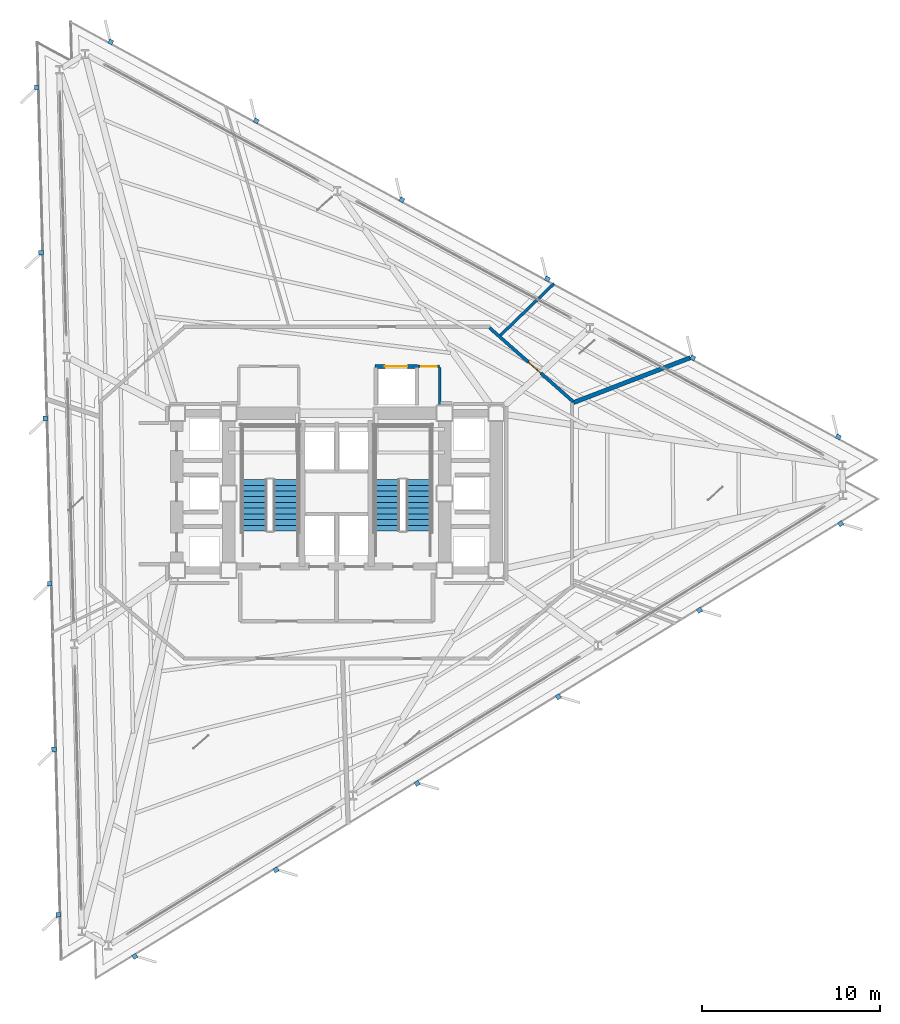
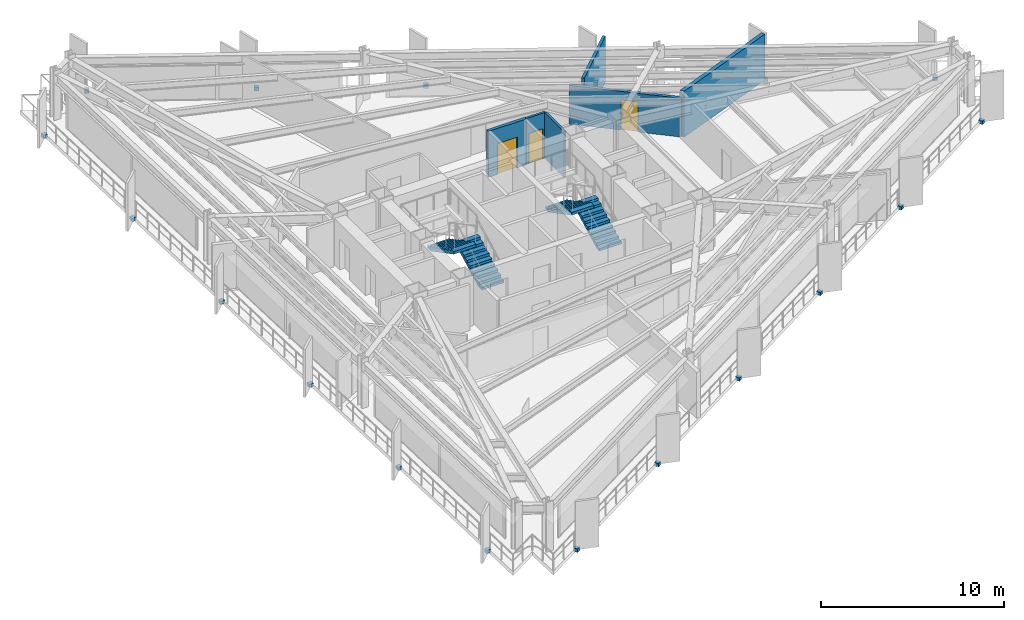
# One storey, part 9 of 14: 18 discrete accessories, 6 walls, 4 stair flights, 3 doors, 3 openings, 2 elements without a shape of their own.
"""IFC4 building model written with IfcOpenShell, lengths in metres."""

from ifc_helpers import new_model, si_unit, direction, frame, frame_2d, origin, origin_2d, place, context, subcontext, project, spatial, polyline, rectangle, outline, extrude, material, layer, layer_set, type_object, element, fill, aggregate, save


model = new_model("IFC4")

# Units and contexts
model_context = context("Model", 3, precision=1e-05, world=origin(), true_north=direction((0.0, 1.0)))
body_context = subcontext(model_context, "Body", "Model", "MODEL_VIEW")
ifc_project = project(units=[si_unit("LENGTHUNIT", "METRE"), si_unit("AREAUNIT", "SQUARE_METRE"), si_unit("VOLUMEUNIT", "CUBIC_METRE"), si_unit("PLANEANGLEUNIT", "RADIAN"), si_unit("MASSUNIT", "GRAM", prefix="KILO")], contexts=[model_context])

# Site, building, storey
site_placement = place(None, origin())
site = spatial("IfcSite", under=ifc_project, at=site_placement, CompositionType="ELEMENT")
building_placement = place(site_placement, origin())
building = spatial("IfcBuilding", under=site, at=building_placement, Name="Rocaltana Carrier Exchange", CompositionType="ELEMENT")
storey_placement = place(building_placement, frame((0.0, 0.0, 25.60009765625)))
storey = spatial("IfcBuildingStorey", under=building, at=storey_placement, Name="L08", CompositionType="ELEMENT", Elevation=25.60009765625)

# Wall
ifc_material_1 = material(Name="Double Acoustic Gypsum Partition", Category="gypsum")
ifc_layer_1 = layer(ifc_material_1, 0.159912109375)
ifc_layer_set_1 = layer_set([ifc_layer_1], Name="Double Acoustic Gypsum Partition")
wall_type_1 = type_object("IfcWallType", Name="Acoustic Studio Partition 160 EI60", PredefinedType="PARTITIONING", material=ifc_layer_set_1)
wall_1_placement = place(storey_placement, frame((9.17529296875, 8.860595703125, 0.0), z_axis=(0.0, 0.0, 1.0), x_axis=(0.719367279815, 0.694629913502, 0.0)))
element("IfcWall", 1, at=wall_1_placement, inside=storey, type_object=wall_type_1, Name="L08 Suite Divider Wall D6", PredefinedType="PARTITIONING", context=body_context, shape_type="SweptSolid", body=[
    extrude(rectangle(XDim=4.1845703125, YDim=0.159912109375, at=frame_2d((2.09228515625, 0.0))), origin(), (0.0, 0.0, 1.0), 3.072998046875),
])

# Wall, opening, door
ifc_material_2 = material(Name="Gypsum & Steel Stud Partition", Category="steel")
ifc_layer_2 = layer(ifc_material_2, 0.179931640625)
ifc_layer_set_2 = layer_set([ifc_layer_2], Name="Gypsum & Steel Stud Partition")
wall_type_2 = type_object("IfcWallType", Name="Corridor Fire Partition 180 EI60", PredefinedType="PARTITIONING", material=ifc_layer_set_2)
wall_2_placement = place(storey_placement, frame((8.5673828125, 9.290283203125, 0.0), z_axis=(0.0, 0.0, 1.0), x_axis=(0.749626463267, -0.66186113768, 0.0)))
wall_2 = element("IfcWall", 2, at=wall_2_placement, inside=storey, type_object=wall_type_2, Name="L08 Corridor Partition 2", PredefinedType="PARTITIONING", context=body_context, shape_type="SweptSolid", body=[
    extrude(rectangle(XDim=6.27001953125, YDim=0.179931640625, at=frame_2d((3.135009765625, 0.0))), origin(), (0.0, 0.0, 1.0), 2.5869140625),
])
opening_1_placement = place(wall_2_placement, frame((2.89501953125, 0.0, 0.0)))
opening_1 = element("IfcOpeningElement", 3, at=opening_1_placement, cuts=wall_2, Name="Opening D-RM098", PredefinedType="OPENING", context=body_context, shape_type="SweptSolid", body=[
    extrude(rectangle(XDim=0.9599609375, YDim=2.02001953125, at=frame_2d((0.47998046875, 1.010009765625))), frame((0.0, 0.099853515625, 0.0), z_axis=(0.0, -1.0, 0.0), x_axis=(1.0, 0.0, 0.0)), (0.0, 0.0, 1.0), 0.199951171875),
])
ifc_material_3 = material(Name="Engineered Hardwood Timber", Category="wood")
door_type_1 = type_object("IfcDoorType", Name="Workspace Single Door 960x2020", OperationType="NOTDEFINED", PredefinedType="DOOR", material=ifc_material_3)
door_1_placement = place(opening_1_placement, origin())
door_1 = element("IfcDoor", 4, at=door_1_placement, inside=storey, type_object=door_type_1, Name="L08 Peering Conference Room Entrance Door", OperationType="SINGLE_SWING_LEFT", OverallHeight=2.02001953125, OverallWidth=0.9599609375, PredefinedType="DOOR", context=body_context, shape_type="SweptSolid", body=[
    extrude(rectangle(XDim=0.9599609375, YDim=2.02001953125, at=frame_2d((0.47998046875, 1.010009765625))), frame((0.0, 0.02490234375, 0.0), z_axis=(0.0, -1.0, 0.0), x_axis=(1.0, 0.0, 0.0)), (0.0, 0.0, 1.0), 0.050048828125),
])
fill(opening_1, door_1)

# Wall
ifc_material_4 = material(Name="Acoustic Calcium Silicate Partition", Category="gypsum")
ifc_layer_3 = layer(ifc_material_4, 0.239990234375)
ifc_layer_set_3 = layer_set([ifc_layer_3], Name="Acoustic Calcium Silicate Partition")
wall_type_3 = type_object("IfcWallType", Name="Heavy Lab Partition 240 EI90", PredefinedType="PARTITIONING", material=ifc_layer_set_3)
wall_3_placement = place(storey_placement, frame((13.280029296875, 5.09765625, 0.0), z_axis=(0.0, 0.0, 1.0), x_axis=(0.933577510578, 0.358375545681, 0.0)))
element("IfcWall", 5, at=wall_3_placement, inside=storey, type_object=wall_type_3, Name="L08 Suite Divider Wall D5", PredefinedType="PARTITIONING", context=body_context, shape_type="SweptSolid", body=[
    extrude(rectangle(XDim=7.021484375, YDim=0.239990234375, at=frame_2d((3.5107421875, 0.0))), origin(), (0.0, 0.0, 1.0), 3.072998046875),
])

# Wall, opening, door
ifc_material_5 = material(Name="Reinforced Concrete Block C35/45", Category="concrete")
ifc_layer_4 = layer(ifc_material_5, 0.199951171875)
ifc_layer_set_4 = layer_set([ifc_layer_4], Name="Reinforced Concrete Block C35/45")
wall_type_4 = type_object("IfcWallType", Name="Lift Hoistway Enclosure Wall 200 EI120", PredefinedType="PARTITIONING", material=ifc_layer_set_4)
wall_4_placement = place(storey_placement, frame((2.14990234375, 7.1201171875, 0.0), z_axis=(0.0, 0.0, 1.0), x_axis=(1.0, 0.0, 0.0)))
wall_4 = element("IfcWall", 6, at=wall_4_placement, inside=storey, type_object=wall_type_4, Name="L08 Goods Lift Front Wall", PredefinedType="PARTITIONING", context=body_context, shape_type="SweptSolid", body=[
    extrude(rectangle(XDim=2.380126953125, YDim=0.199951171875, at=frame_2d((1.18994140625, 0.0))), origin(), (0.0, 0.0, 1.0), 3.072998046875),
])
opening_2_placement = place(wall_4_placement, frame((0.56005859375, 0.0, 0.0)))
opening_2 = element("IfcOpeningElement", 7, at=opening_2_placement, cuts=wall_4, Name="Opening LD-130", PredefinedType="OPENING", context=body_context, shape_type="SweptSolid", body=[
    extrude(rectangle(XDim=1.260009765625, YDim=2.06005859375, at=frame_2d((0.6298828125, 1.030029296875))), frame((0.0, 0.10986328125, 0.0), z_axis=(0.0, -1.0, 0.0), x_axis=(1.0, 0.0, 0.0)), (0.0, 0.0, 1.0), 0.219970703125),
])
ifc_material_6 = material(Name="Brushed Stainless Sliding Door Leaf", Category="steel")
door_type_2 = type_object("IfcDoorType", Name="Goods Lift Landing Sliding Door 1260x2060", OperationType="NOTDEFINED", PredefinedType="DOOR", material=ifc_material_6)
door_2_placement = place(opening_2_placement, origin())
door_2 = element("IfcDoor", 8, at=door_2_placement, inside=storey, type_object=door_type_2, Name="L08 Goods Lift GL-1 Landing Door", OperationType="SLIDING_TO_LEFT", OverallHeight=2.06005859375, OverallWidth=1.260009765625, PredefinedType="DOOR", context=body_context, shape_type="SweptSolid", body=[
    extrude(rectangle(XDim=1.260009765625, YDim=2.06005859375, at=frame_2d((0.6298828125, 1.030029296875))), frame((0.0, 0.02490234375, 0.0), z_axis=(0.0, -1.0, 0.0), x_axis=(1.0, 0.0, 0.0)), (0.0, 0.0, 1.0), 0.050048828125),
])
fill(opening_2, door_2)

# Wall
ifc_material_7 = material(Name="Moisture-Resistant Masonry C30/37", Category="masonry")
ifc_layer_5 = layer(ifc_material_7, 0.139892578125)
ifc_layer_set_5 = layer_set([ifc_layer_5], Name="Moisture-Resistant Masonry C30/37")
wall_type_5 = type_object("IfcWallType", Name="Wet-Area Sanitary Partition 140", PredefinedType="PARTITIONING", material=ifc_layer_set_5)
wall_5_placement = place(storey_placement, frame((5.780029296875, 4.949951171875, 0.0), z_axis=(0.0, 0.0, 1.0), x_axis=(0.0, 1.0, 0.0)))
element("IfcWall", 9, at=wall_5_placement, inside=storey, type_object=wall_type_5, Name="L08 Restroom East Wall", PredefinedType="PARTITIONING", context=body_context, shape_type="SweptSolid", body=[
    extrude(rectangle(XDim=2.10009765625, YDim=0.139892578125, at=frame_2d((1.050048828125, 0.0))), origin(), (0.0, 0.0, 1.0), 3.072998046875),
])

# Wall, opening, door
wall_6_placement = place(storey_placement, frame((4.56005859375, 7.1201171875, 0.0), z_axis=(0.0, 0.0, 1.0), x_axis=(1.0, 0.0, 0.0)))
wall_6 = element("IfcWall", 10, at=wall_6_placement, inside=storey, type_object=wall_type_5, Name="L08 Restroom North Wall", PredefinedType="PARTITIONING", context=body_context, shape_type="SweptSolid", body=[
    extrude(rectangle(XDim=1.219970703125, YDim=0.139892578125, at=frame_2d((0.60986328125, 0.0))), origin(), (0.0, 0.0, 1.0), 3.072998046875),
])
opening_3_placement = place(wall_6_placement, frame((0.169921875, 0.0, 0.0)))
opening_3 = element("IfcOpeningElement", 11, at=opening_3_placement, cuts=wall_6, Name="Opening D-WC090", PredefinedType="OPENING", context=body_context, shape_type="SweptSolid", body=[
    extrude(rectangle(XDim=0.8798828125, YDim=2.02001953125, at=frame_2d((0.43994140625, 1.010009765625))), frame((0.0, 0.079833984375, 0.0), z_axis=(0.0, -1.0, 0.0), x_axis=(1.0, 0.0, 0.0)), (0.0, 0.0, 1.0), 0.159912109375),
])
ifc_material_8 = material(Name="High-Pressure Laminate Timber", Category="wood")
door_type_3 = type_object("IfcDoorType", Name="Restroom & Accessible WC Door 880x2020", OperationType="NOTDEFINED", PredefinedType="DOOR", material=ifc_material_8)
door_3_placement = place(opening_3_placement, origin())
door_3 = element("IfcDoor", 12, at=door_3_placement, inside=storey, type_object=door_type_3, Name="L08 Staff Restroom Door", OperationType="SINGLE_SWING_RIGHT", OverallHeight=2.02001953125, OverallWidth=0.8798828125, PredefinedType="DOOR", context=body_context, shape_type="SweptSolid", body=[
    extrude(rectangle(XDim=0.8798828125, YDim=2.02001953125, at=frame_2d((0.43994140625, 1.010009765625))), frame((0.0, 0.02490234375, 0.0), z_axis=(0.0, -1.0, 0.0), x_axis=(1.0, 0.0, 0.0)), (0.0, 0.0, 1.0), 0.050048828125),
])
fill(opening_3, door_3)

# Stair, stair flights
ifc_material_9 = material(Name="Precast concrete C45/55", Category="concrete")
stair_type = type_object("IfcStairType", Name="Standard Dog-Leg Stair 160", PredefinedType="HALF_TURN_STAIR", material=ifc_material_9)
stair_1_placement = place(storey_placement, origin())
stair_1 = element("IfcStair", 13, at=stair_1_placement, inside=storey, type_object=stair_type, Name="L08 Core West Exit Stair ST-1", PredefinedType="HALF_TURN_STAIR")
ifc_material_10 = material(Name="Precast concrete C45/55", Category="concrete")
stair_flight_type = type_object("IfcStairFlightType", Name="Precast Stair Flight 160", PredefinedType="STRAIGHT", material=ifc_material_10)
stair_flight_1_placement = place(storey_placement, frame((-2.840087890625, -2.10009765625, 0.0), z_axis=(0.0, 0.0, 1.0), x_axis=(0.0, 1.0, 0.0)))
stair_flight_1 = element("IfcStairFlight", 14, at=stair_flight_1_placement, type_object=stair_flight_type, Name="ST-1 flight 1", NumberOfRisers=10, NumberOfTreads=9, PredefinedType="STRAIGHT", RiserHeight=0.168, TreadLength=0.32, context=body_context, shape_type="SweptSolid", body=[
    extrude(outline(polyline([(0.0, 0.0), (0.0, 0.16796875), (0.320068359375, 0.16796875), (0.320068359375, 0.3359375), (0.639892578125, 0.3359375), (0.639892578125, 0.50390625), (0.9599609375, 0.50390625), (0.9599609375, 0.672119140625), (1.280029296875, 0.672119140625), (1.280029296875, 0.840087890625), (1.60009765625, 0.840087890625), (1.60009765625, 1.008056640625), (1.919921875, 1.008056640625), (1.919921875, 1.176025390625), (2.239990234375, 1.176025390625), (2.239990234375, 1.343994140625), (2.56005859375, 1.343994140625), (2.56005859375, 1.511962890625), (2.8798828125, 1.511962890625), (2.8798828125, 1.679931640625), (2.8798828125, 1.331298828125), (0.343994140625, 0.0), (0.0, 0.0)])), frame((0.0, 0.699951171875, 0.0), z_axis=(0.0, -1.0, 0.0), x_axis=(1.0, 0.0, 0.0)), (0.0, 0.0, 1.0), 1.39990234375),
])
stair_flight_2_placement = place(storey_placement, frame((-4.60009765625, 0.780029296875, 1.679931640625), z_axis=(0.0, 0.0, 1.0), x_axis=(0.0, -1.0, 0.0)))
stair_flight_2 = element("IfcStairFlight", 15, at=stair_flight_2_placement, type_object=stair_flight_type, Name="ST-1 flight 2", NumberOfRisers=10, NumberOfTreads=9, PredefinedType="STRAIGHT", RiserHeight=0.168, TreadLength=0.32, context=body_context, shape_type="SweptSolid", body=[
    extrude(outline(polyline([(0.0, 0.0), (0.0, 0.16796875), (0.320068359375, 0.16796875), (0.320068359375, 0.3359375), (0.639892578125, 0.3359375), (0.639892578125, 0.50390625), (0.9599609375, 0.50390625), (0.9599609375, 0.672119140625), (1.280029296875, 0.672119140625), (1.280029296875, 0.840087890625), (1.60009765625, 0.840087890625), (1.60009765625, 1.008056640625), (1.919921875, 1.008056640625), (1.919921875, 1.176025390625), (2.239990234375, 1.176025390625), (2.239990234375, 1.343994140625), (2.56005859375, 1.343994140625), (2.56005859375, 1.511962890625), (2.8798828125, 1.511962890625), (2.8798828125, 1.679931640625), (2.8798828125, 1.331298828125), (0.343994140625, 0.0), (0.0, 0.0)])), frame((0.0, 0.699951171875, 0.0), z_axis=(0.0, -1.0, 0.0), x_axis=(1.0, 0.0, 0.0)), (0.0, 0.0, 1.0), 1.39990234375),
])
aggregate(stair_1, [stair_flight_1, stair_flight_2])

stair_2_placement = place(storey_placement, origin())
stair_2 = element("IfcStair", 16, at=stair_2_placement, inside=storey, type_object=stair_type, Name="L08 Core East Exit Stair ST-2", PredefinedType="HALF_TURN_STAIR")
stair_flight_3_placement = place(storey_placement, frame((4.60009765625, -2.10009765625, 0.0), z_axis=(0.0, 0.0, 1.0), x_axis=(0.0, 1.0, 0.0)))
stair_flight_3 = element("IfcStairFlight", 17, at=stair_flight_3_placement, type_object=stair_flight_type, Name="ST-2 flight 1", NumberOfRisers=10, NumberOfTreads=9, PredefinedType="STRAIGHT", RiserHeight=0.168, TreadLength=0.32, context=body_context, shape_type="SweptSolid", body=[
    extrude(outline(polyline([(0.0, 0.0), (0.0, 0.16796875), (0.320068359375, 0.16796875), (0.320068359375, 0.3359375), (0.639892578125, 0.3359375), (0.639892578125, 0.50390625), (0.9599609375, 0.50390625), (0.9599609375, 0.672119140625), (1.280029296875, 0.672119140625), (1.280029296875, 0.840087890625), (1.60009765625, 0.840087890625), (1.60009765625, 1.008056640625), (1.919921875, 1.008056640625), (1.919921875, 1.176025390625), (2.239990234375, 1.176025390625), (2.239990234375, 1.343994140625), (2.56005859375, 1.343994140625), (2.56005859375, 1.511962890625), (2.8798828125, 1.511962890625), (2.8798828125, 1.679931640625), (2.8798828125, 1.331298828125), (0.343994140625, 0.0), (0.0, 0.0)])), frame((0.0, 0.699951171875, 0.0), z_axis=(0.0, -1.0, 0.0), x_axis=(1.0, 0.0, 0.0)), (0.0, 0.0, 1.0), 1.39990234375),
])
stair_flight_4_placement = place(storey_placement, frame((2.840087890625, 0.780029296875, 1.679931640625), z_axis=(0.0, 0.0, 1.0), x_axis=(0.0, -1.0, 0.0)))
stair_flight_4 = element("IfcStairFlight", 18, at=stair_flight_4_placement, type_object=stair_flight_type, Name="ST-2 flight 2", NumberOfRisers=10, NumberOfTreads=9, PredefinedType="STRAIGHT", RiserHeight=0.168, TreadLength=0.32, context=body_context, shape_type="SweptSolid", body=[
    extrude(outline(polyline([(0.0, 0.0), (0.0, 0.16796875), (0.320068359375, 0.16796875), (0.320068359375, 0.3359375), (0.639892578125, 0.3359375), (0.639892578125, 0.50390625), (0.9599609375, 0.50390625), (0.9599609375, 0.672119140625), (1.280029296875, 0.672119140625), (1.280029296875, 0.840087890625), (1.60009765625, 0.840087890625), (1.60009765625, 1.008056640625), (1.919921875, 1.008056640625), (1.919921875, 1.176025390625), (2.239990234375, 1.176025390625), (2.239990234375, 1.343994140625), (2.56005859375, 1.343994140625), (2.56005859375, 1.511962890625), (2.8798828125, 1.511962890625), (2.8798828125, 1.679931640625), (2.8798828125, 1.331298828125), (0.343994140625, 0.0), (0.0, 0.0)])), frame((0.0, 0.699951171875, 0.0), z_axis=(0.0, -1.0, 0.0), x_axis=(1.0, 0.0, 0.0)), (0.0, 0.0, 1.0), 1.39990234375),
])
aggregate(stair_2, [stair_flight_3, stair_flight_4])

# Discrete accessories
ifc_material_11 = material(Name="Brushed Architectural Stainless Metal", Category="steel")
ifc_layer_6 = layer(ifc_material_11, 0.219970703125)
ifc_layer_set_6 = layer_set([ifc_layer_6], Name="Brushed Architectural Stainless Metal")
discrete_accessory_type = type_object("IfcDiscreteAccessoryType", Name="Stainless Fin Slab-Edge Bracket 260x260x220", PredefinedType="BRACKET", material=ifc_layer_set_6)
for number, where, z_axis, x_axis, name in (
    (19, (28.121337890625, 3.171875, -0.2099609375), (0.0, 0.0, 1.0), (-0.878817112662, 0.47715876026, 0.0), "L08 Sandstone Fin Edge Bracket F1-01"),
    (20, (19.9658203125, 7.599853515625, -0.2099609375), (0.0, 0.0, 1.0), (-0.878817112662, 0.47715876026, 0.0), "L08 Sandstone Fin Edge Bracket F1-02"),
    (21, (11.810546875, 12.02783203125, -0.2099609375), (0.0, 0.0, 1.0), (-0.878817112662, 0.47715876026, 0.0), "L08 Sandstone Fin Edge Bracket F1-03"),
    (22, (3.655029296875, 16.4560546875, -0.2099609375), (0.0, 0.0, 1.0), (-0.878817112662, 0.47715876026, 0.0), "L08 Sandstone Fin Edge Bracket F1-04"),
    (23, (-4.50048828125, 20.884033203125, -0.2099609375), (0.0, 0.0, 1.0), (-0.878817112662, 0.47715876026, 0.0), "L08 Sandstone Fin Edge Bracket F1-05"),
    (24, (-12.65576171875, 25.31201171875, -0.2099609375), (0.0, 0.0, 1.0), (-0.878817112662, 0.47715876026, 0.0), "L08 Sandstone Fin Edge Bracket F1-06"),
    (25, (-16.8076171875, 22.767822265625, -0.2099609375), (0.0, 0.0, 1.0), (0.026176948308, -0.999657324976, 0.0), "L08 Sandstone Fin Edge Bracket F2-01"),
    (26, (-16.564697265625, 13.490966796875, -0.2099609375), (0.0, 0.0, 1.0), (0.026176948308, -0.999657324976, 0.0), "L08 Sandstone Fin Edge Bracket F2-02"),
    (27, (-16.32177734375, 4.214111328125, -0.2099609375), (0.0, 0.0, 1.0), (0.026176948308, -0.999657324976, 0.0), "L08 Sandstone Fin Edge Bracket F2-03"),
    (28, (-16.078857421875, -5.0625, -0.2099609375), (0.0, 0.0, 1.0), (0.026176948308, -0.999657324976, 0.0), "L08 Sandstone Fin Edge Bracket F2-04"),
    (29, (-15.8359375, -14.33935546875, -0.2099609375), (0.0, 0.0, 1.0), (0.026176948308, -0.999657324976, 0.0), "L08 Sandstone Fin Edge Bracket F2-05"),
    (30, (-15.593017578125, -23.6162109375, -0.2099609375), (0.0, 0.0, 1.0), (0.026176948308, -0.999657324976, 0.0), "L08 Sandstone Fin Edge Bracket F2-06"),
    (31, (-11.313720703125, -25.939697265625, -0.2099609375), (0.0, 0.0, 1.0), (0.852640164354, 0.522498564716, 0.0), "L08 Sandstone Fin Edge Bracket F3-01"),
    (32, (-3.401123046875, -21.0908203125, -0.2099609375), (0.0, 0.0, 1.0), (0.852640164354, 0.522498564716, 0.0), "L08 Sandstone Fin Edge Bracket F3-02"),
    (33, (4.51123046875, -16.2421875, -0.2099609375), (0.0, 0.0, 1.0), (0.852640164354, 0.522498564716, 0.0), "L08 Sandstone Fin Edge Bracket F3-03"),
    (34, (12.423828125, -11.393310546875, -0.2099609375), (0.0, 0.0, 1.0), (0.852640164354, 0.522498564716, 0.0), "L08 Sandstone Fin Edge Bracket F3-04"),
    (35, (20.336181640625, -6.54443359375, -0.2099609375), (0.0, 0.0, 1.0), (0.852640164354, 0.522498564716, 0.0), "L08 Sandstone Fin Edge Bracket F3-05"),
    (36, (28.248779296875, -1.69580078125, -0.2099609375), (0.0, 0.0, 1.0), (0.852640164354, 0.522498564716, 0.0), "L08 Sandstone Fin Edge Bracket F3-06"),
):
    element("IfcDiscreteAccessory", number, at=place(storey_placement, frame(where, z_axis=z_axis, x_axis=x_axis)), inside=storey, type_object=discrete_accessory_type, Name=name, PredefinedType="BRACKET", context=body_context, shape_type="SweptSolid", body=[
        extrude(rectangle(XDim=0.260009765625, YDim=0.260009765625, at=origin_2d()), origin(), (0.0, 0.0, 1.0), 0.219970703125),
    ])

save(model, "model.ifc")
